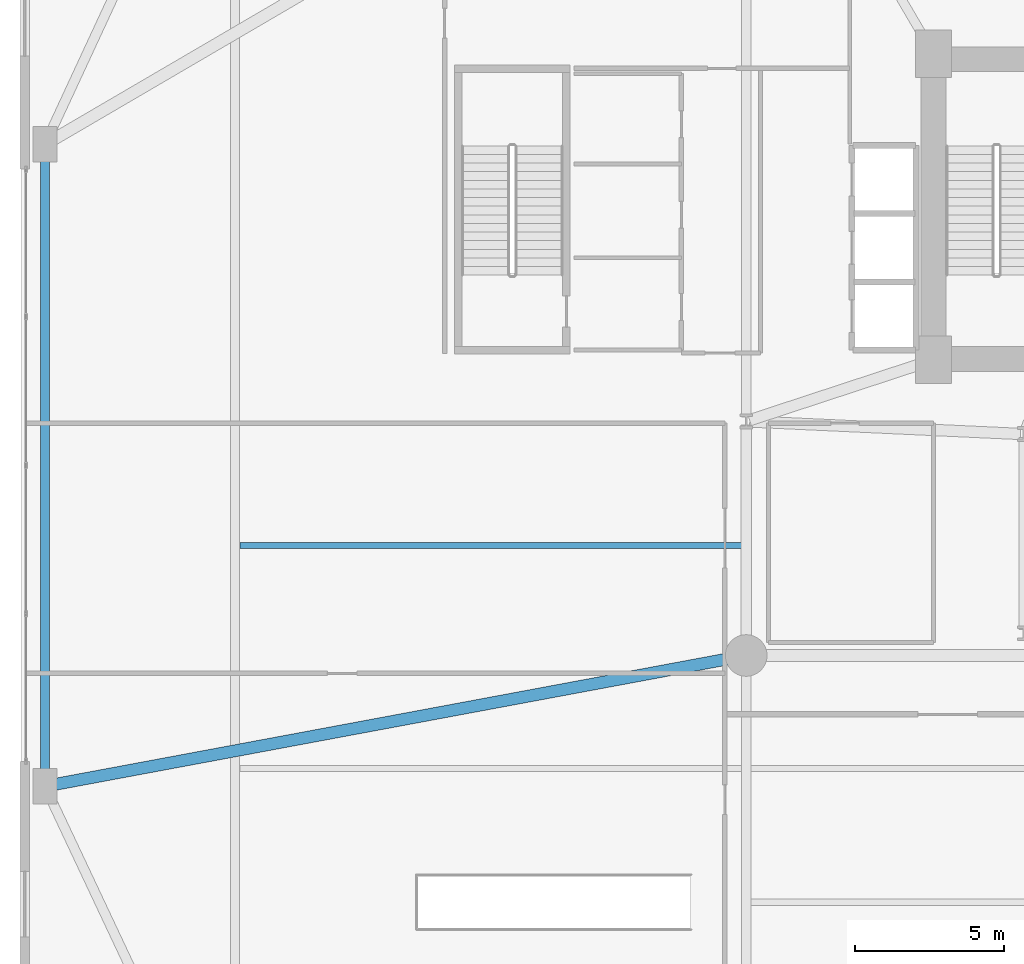
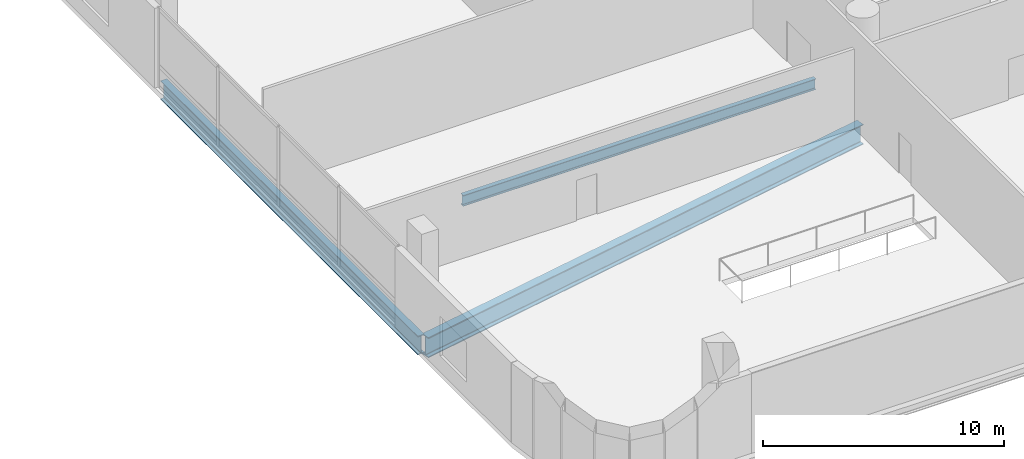
# One storey, part 5 of 31: 3 beams.
"""IFC4 building model written with IfcOpenShell, lengths in metres."""

from ifc_helpers import new_model, si_unit, direction, frame, origin, origin_2d, place, context, subcontext, project, spatial, i_section, extrude, material, material_profile, profile_set, type_object, element, save


model = new_model("IFC4")

# Units and contexts
model_context = context("Model", 3, precision=1e-05, world=origin(), true_north=direction((0.0, 1.0)))
body_context = subcontext(model_context, "Body", "Model", "MODEL_VIEW")
ifc_project = project(units=[si_unit("LENGTHUNIT", "METRE"), si_unit("AREAUNIT", "SQUARE_METRE"), si_unit("VOLUMEUNIT", "CUBIC_METRE"), si_unit("PLANEANGLEUNIT", "RADIAN"), si_unit("MASSUNIT", "GRAM", prefix="KILO")], contexts=[model_context])

# Site, building, storey
site_placement = place(None, origin())
site = spatial("IfcSite", under=ifc_project, at=site_placement, CompositionType="ELEMENT")
building_placement = place(site_placement, origin())
building = spatial("IfcBuilding", under=site, at=building_placement, Name="Varnelok Gate Tower", CompositionType="ELEMENT")
storey_placement = place(building_placement, frame((0.0, 0.0, 16.199951171875)))
storey = spatial("IfcBuildingStorey", under=building, at=storey_placement, Name="L03", CompositionType="ELEMENT", Elevation=16.199951171875)

# Beams
ifc_material = material(Name="Structural Steel ASTM A992 Grade 50", Category="steel")
ifc_material_profile_1 = material_profile(ifc_material, i_section(OverallWidth=0.2119140625, OverallDepth=0.5439453125, WebThickness=0.01318359375, FlangeThickness=0.021240234375, FilletRadius=0.01611328125, at=origin_2d()), Name="W21X83")
ifc_profile_set_1 = profile_set([ifc_material_profile_1], Name="Structural Steel ASTM A992 Grade 50")
beam_type_1 = type_object("IfcBeamType", Name="BM-JST-W21X83", PredefinedType="JOIST", material=ifc_profile_set_1)
beam_1_placement = place(storey_placement, frame((7.360107421875, 22.5, -0.552001953125), z_axis=(1.0, 0.0, 0.0), x_axis=(0.0, 1.0, 0.0)))
element("IfcBeam", 1, at=beam_1_placement, inside=storey, type_object=beam_type_1, Name="L03 Podium Floor Joist", PredefinedType="JOIST", context=body_context, shape_type="SweptSolid", body=[
    extrude(i_section(OverallWidth=0.2119140625, OverallDepth=0.5439453125, WebThickness=0.01318359375, FlangeThickness=0.021240234375, FilletRadius=0.01611328125, at=origin_2d()), origin(), (0.0, 0.0, 1.0), 16.8798828125),
])
ifc_material_profile_2 = material_profile(ifc_material, i_section(OverallWidth=0.30810546875, OverallDepth=0.943115234375, WebThickness=0.022216796875, FlangeThickness=0.039794921875, FilletRadius=0.02587890625, at=origin_2d()), Name="W36X232")
ifc_profile_set_2 = profile_set([ifc_material_profile_2], Name="Structural Steel ASTM A992 Grade 50")
beam_type_2 = type_object("IfcBeamType", Name="BM-PRI-W36X232", PredefinedType="BEAM", material=ifc_profile_set_2)
beam_2_placement = place(storey_placement, frame((0.800048828125, 14.5400390625, -0.75146484375), z_axis=(0.0, 1.0, 0.0), x_axis=(-1.0, 0.0, 0.0)))
element("IfcBeam", 2, at=beam_2_placement, inside=storey, type_object=beam_type_2, Name="L03 Podium Primary Girder 6", PredefinedType="BEAM", context=body_context, shape_type="SweptSolid", body=[
    extrude(i_section(OverallWidth=0.30810546875, OverallDepth=0.943115234375, WebThickness=0.022216796875, FlangeThickness=0.039794921875, FilletRadius=0.02587890625, at=origin_2d()), origin(), (0.0, 0.0, 1.0), 21.320068359375),
])
ifc_material_profile_3 = material_profile(ifc_material, i_section(OverallWidth=0.404052734375, OverallDepth=1.02001953125, WebThickness=0.025390625, FlangeThickness=0.0458984375, FilletRadius=0.030029296875, at=origin_2d()), Name="W40X324")
ifc_profile_set_3 = profile_set([ifc_material_profile_3], Name="Structural Steel ASTM A992 Grade 50")
beam_type_3 = type_object("IfcBeamType", Name="BM-SPR-W40X324", PredefinedType="BEAM", material=ifc_profile_set_3)
beam_3_placement = place(storey_placement, frame((0.9375, 14.42578125, -0.7900390625), z_axis=(0.983060958823, 0.183278889234, 0.0), x_axis=(-0.183278889234, 0.983060958823, 0.0)))
element("IfcBeam", 3, at=beam_3_placement, inside=storey, type_object=beam_type_3, Name="L03 Podium Primary Girder 16", PredefinedType="BEAM", context=body_context, shape_type="SweptSolid", body=[
    extrude(i_section(OverallWidth=0.404052734375, OverallDepth=1.02001953125, WebThickness=0.025390625, FlangeThickness=0.0458984375, FilletRadius=0.030029296875, at=origin_2d()), origin(), (0.0, 0.0, 1.0), 23.726806640625),
])

save(model, "model.ifc")
